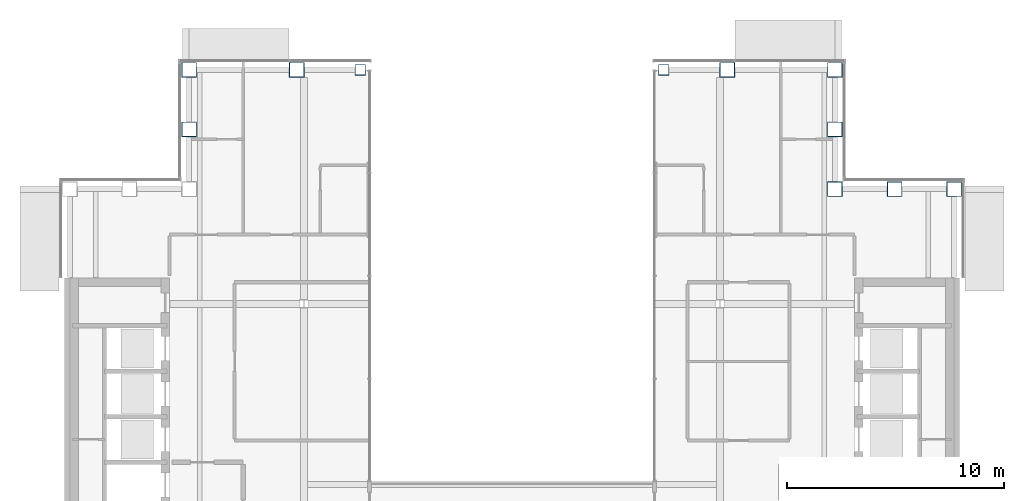
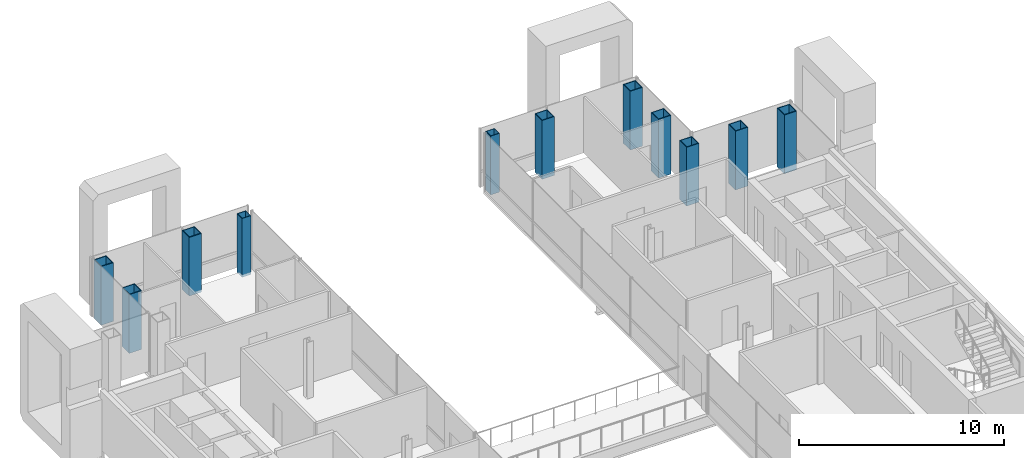
# One storey, part 2 of 17: 11 columns.
"""IFC4 building model written with IfcOpenShell, lengths in metres."""

from ifc_helpers import new_model, si_unit, direction, frame, origin, origin_2d, place, context, subcontext, project, spatial, hollow_rectangle, extrude, material, material_profile, profile_set, type_object, element, save


model = new_model("IFC4")

# Units and contexts
model_context = context("Model", 3, precision=1e-05, world=origin(), true_north=direction((0.0, 1.0)))
body_context = subcontext(model_context, "Body", "Model", "MODEL_VIEW")
ifc_project = project(units=[si_unit("LENGTHUNIT", "METRE"), si_unit("AREAUNIT", "SQUARE_METRE"), si_unit("VOLUMEUNIT", "CUBIC_METRE"), si_unit("PLANEANGLEUNIT", "RADIAN"), si_unit("MASSUNIT", "GRAM", prefix="KILO")], contexts=[model_context])

# Site, building, storey
site_placement = place(None, origin())
site = spatial("IfcSite", under=ifc_project, at=site_placement, CompositionType="ELEMENT")
building_placement = place(site_placement, origin())
building = spatial("IfcBuilding", under=site, at=building_placement, Name="Cobrizo Arcos Hotel Tower", CompositionType="ELEMENT")
storey_placement = place(building_placement, frame((0.0, 0.0, 226.0)))
storey = spatial("IfcBuildingStorey", under=building, at=storey_placement, Name="L59", CompositionType="ELEMENT", Elevation=226.0)

# Columns
ifc_material = material(Name="Steel ASTM A572 Grade 50", Category="steel")
ifc_material_profile_1 = material_profile(ifc_material, hollow_rectangle(XDim=0.5, YDim=0.5, WallThickness=0.030029296875, at=origin_2d()), Name="BOX 500X500X30")
ifc_profile_set_1 = profile_set([ifc_material_profile_1], Name="Steel ASTM A572 Grade 50")
column_type_1 = type_object("IfcColumnType", Name="BOX 500X500X30 column", PredefinedType="COLUMN", material=ifc_profile_set_1)
for number, where, z_axis, x_axis, name in (
    (1, (-7.0, 20.39990234375, -0.14990234375), (0.0, 0.0, 1.0), (1.0, 0.0, 0.0), "Perimeter column C11, L59, no. 24"),
    (2, (7.0, 20.39990234375, -0.14990234375), (0.0, 0.0, 1.0), (1.0, 0.0, 0.0), "Perimeter column C11, L59, no. 26"),
):
    element("IfcColumn", number, at=place(storey_placement, frame(where, z_axis=z_axis, x_axis=x_axis)), inside=storey, type_object=column_type_1, Name=name, PredefinedType="COLUMN", context=body_context, shape_type="SweptSolid", body=[
        extrude(hollow_rectangle(XDim=0.5, YDim=0.5, WallThickness=0.030029296875, at=origin_2d()), origin(), (0.0, 0.0, 1.0), 3.5),
    ])
ifc_material_profile_2 = material_profile(ifc_material, hollow_rectangle(XDim=0.699951171875, YDim=0.699951171875, WallThickness=0.0400390625, at=origin_2d()), Name="BOX 700X700X40")
ifc_profile_set_2 = profile_set([ifc_material_profile_2], Name="Steel ASTM A572 Grade 50")
column_type_2 = type_object("IfcColumnType", Name="BOX 700X700X40 column", PredefinedType="COLUMN", material=ifc_profile_set_2)
for number, where, z_axis, x_axis, name in (
    (3, (-14.89990234375, 20.39990234375, -0.14990234375), (0.0, 0.0, 1.0), (1.0, 0.0, 0.0), "Perimeter column C10, L59, no. 00"),
    (4, (-9.93310546875, 20.39990234375, -0.14990234375), (0.0, 0.0, 1.0), (1.0, 0.0, 0.0), "Perimeter column C10, L59, no. 02"),
    (5, (9.93310546875, 20.39990234375, -0.14990234375), (0.0, 0.0, 1.0), (1.0, 0.0, 0.0), "Perimeter column C10, L59, no. 04"),
    (6, (14.89990234375, 20.39990234375, -0.14990234375), (0.0, 0.0, 1.0), (1.0, 0.0, 0.0), "Perimeter column C10, L59, no. 06"),
    (7, (20.39990234375, 14.89990234375, -0.14990234375), (0.0, 0.0, 1.0), (1.0, 0.0, 0.0), "Perimeter column C10, L59, no. 10"),
    (8, (-14.89990234375, 17.64990234375, -0.14990234375), (0.0, 0.0, 1.0), (1.0, 0.0, 0.0), "Perimeter column C10, L59, no. 16"),
    (9, (14.89990234375, 14.89990234375, -0.14990234375), (0.0, 0.0, 1.0), (1.0, 0.0, 0.0), "Perimeter column C10, L59, no. 21"),
    (10, (14.89990234375, 17.64990234375, -0.14990234375), (0.0, 0.0, 1.0), (1.0, 0.0, 0.0), "Perimeter column C10, L59, no. 22"),
    (11, (17.64990234375, 14.89990234375, -0.14990234375), (0.0, 0.0, 1.0), (1.0, 0.0, 0.0), "Perimeter column C10, L59, no. 23"),
):
    element("IfcColumn", number, at=place(storey_placement, frame(where, z_axis=z_axis, x_axis=x_axis)), inside=storey, type_object=column_type_2, Name=name, PredefinedType="COLUMN", context=body_context, shape_type="SweptSolid", body=[
        extrude(hollow_rectangle(XDim=0.699951171875, YDim=0.699951171875, WallThickness=0.0400390625, at=origin_2d()), origin(), (0.0, 0.0, 1.0), 3.5),
    ])

save(model, "model.ifc")
